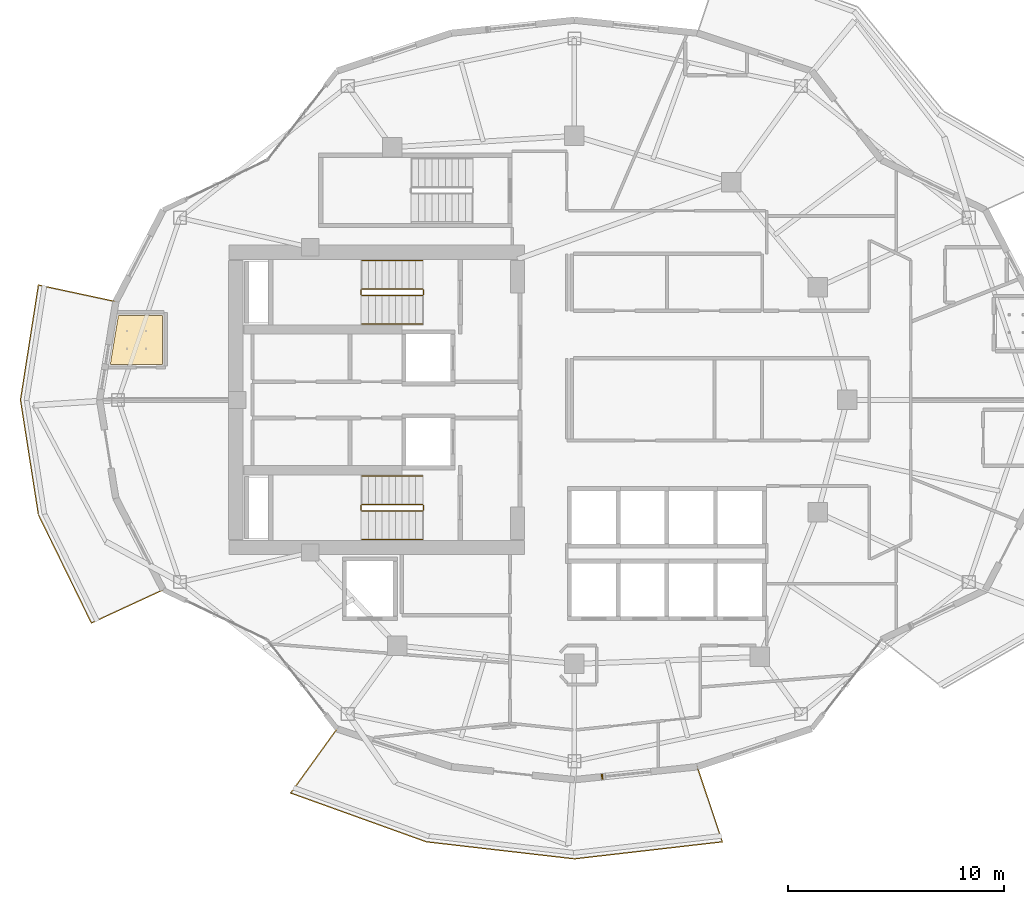
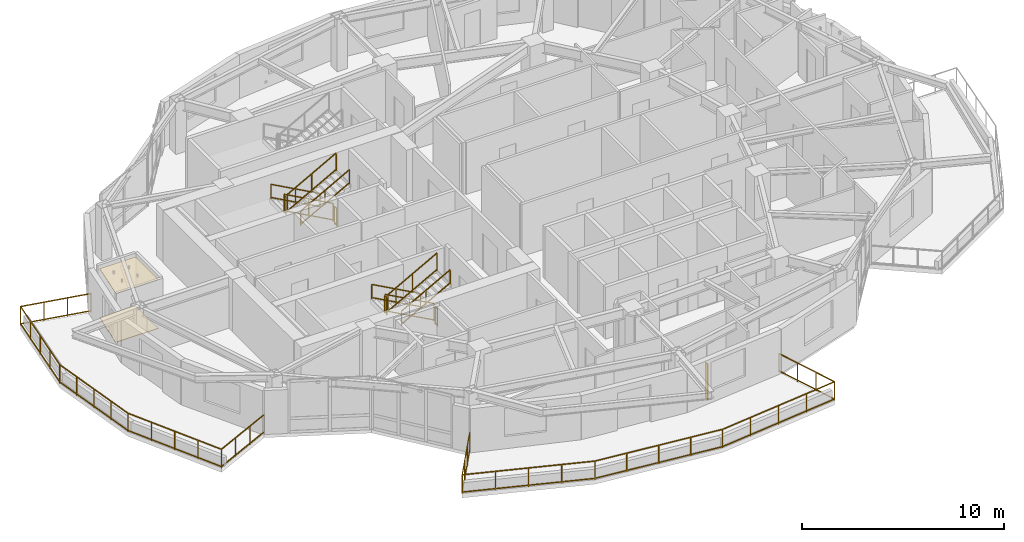
# One storey, part 17 of 19: 14 railings, 2 coverings, 1 shading device.
"""IFC4 building model written with IfcOpenShell, lengths in metres."""

from ifc_helpers import new_model, si_unit, direction, frame, origin, origin_2d, place, context, subcontext, project, spatial, polyline, rectangle, outline, extrude, material, layer, layer_set, type_object, element, save


model = new_model("IFC4")

# Units and contexts
model_context = context("Model", 3, precision=1e-05, world=origin(), true_north=direction((0.0, 1.0)))
body_context = subcontext(model_context, "Body", "Model", "MODEL_VIEW")
ifc_project = project(units=[si_unit("LENGTHUNIT", "METRE"), si_unit("AREAUNIT", "SQUARE_METRE"), si_unit("VOLUMEUNIT", "CUBIC_METRE"), si_unit("PLANEANGLEUNIT", "RADIAN"), si_unit("MASSUNIT", "GRAM", prefix="KILO")], contexts=[model_context])

# Site, building, storey
site_placement = place(None, origin())
site = spatial("IfcSite", under=ifc_project, at=site_placement, CompositionType="ELEMENT")
building_placement = place(site_placement, origin())
building = spatial("IfcBuilding", under=site, at=building_placement, Name="Kolvaren Gate Tower and Convention Centre", CompositionType="ELEMENT")
storey_placement = place(building_placement, frame((0.0, 0.0, 163.10009765625)))
storey = spatial("IfcBuildingStorey", under=building, at=storey_placement, Name="L42", CompositionType="ELEMENT", Elevation=163.10009765625)

# Coverings
ifc_material_1 = material(Name="Perforated Mineral-Fibre Acoustic Ceiling Tile 18 mm", Category="gypsum")
ifc_layer_1 = layer(ifc_material_1, 0.01806640625)
ifc_layer_set_1 = layer_set([ifc_layer_1], Name="Perforated Mineral-Fibre Acoustic Ceiling Tile 18 mm")
covering_type_1 = type_object("IfcCoveringType", Name="ARCH-COV-CEIL-18", PredefinedType="CEILING", material=ifc_layer_set_1)
covering_1_placement = place(storey_placement, frame((0.0, 0.0, 2.949951171875)))
element("IfcCovering", 1, at=covering_1_placement, inside=storey, type_object=covering_type_1, Name="En-suite Bathroom (HTL-L42-14) Acoustic Suspended Ceiling", PredefinedType="CEILING", context=body_context, shape_type="SweptSolid", body=[
    extrude(outline(polyline([(11.09912109375, 30.909912109375), (11.09912109375, 28.639892578125), (8.679931640625, 28.639892578125), (9.053955078125, 30.909912109375), (11.09912109375, 30.909912109375)])), origin(), (0.0, 0.0, 1.0), 0.01806640625),
])
ifc_material_2 = material(Name="Honed Sabana Limestone Terrazzo Flooring 30 mm", Category="masonry")
ifc_layer_2 = layer(ifc_material_2, 0.030029296875)
ifc_layer_set_2 = layer_set([ifc_layer_2], Name="Honed Sabana Limestone Terrazzo Flooring 30 mm")
covering_type_2 = type_object("IfcCoveringType", Name="ARCH-COV-FLR-30", PredefinedType="FLOORING", material=ifc_layer_set_2)
covering_2_placement = place(storey_placement, origin())
element("IfcCovering", 2, at=covering_2_placement, inside=storey, type_object=covering_type_2, Name="En-suite Bathroom (HTL-L42-14) Interior Finish Flooring", PredefinedType="FLOORING", context=body_context, shape_type="SweptSolid", body=[
    extrude(outline(polyline([(11.09912109375, 30.909912109375), (11.09912109375, 28.639892578125), (8.679931640625, 28.639892578125), (9.053955078125, 30.909912109375), (11.09912109375, 30.909912109375)])), origin(), (0.0, 0.0, 1.0), 0.02978515625),
])

# Railings
ifc_material_3 = material(Name="Brushed Stainless Steel Grade 316L", Category="steel")
railing_type_1 = type_object("IfcRailingType", Name="ARCH-RL-GUARD-1150", PredefinedType="GUARDRAIL", material=ifc_material_3)
railing_1_placement = place(storey_placement, frame((23.10009765625, 32.1298828125, 0.169921875)))
element("IfcRailing", 3, at=railing_1_placement, inside=storey, type_object=railing_type_1, Name="L42 ST-T1 stair guard 1", PredefinedType="GUARDRAIL", context=body_context, shape_type="SweptSolid", body=[
    extrude(rectangle(XDim=0.048095703125, YDim=0.048095703125, at=origin_2d()), frame((0.0, 0.0, 1.076171875), z_axis=(-0.876811365212, 0.0, 0.480834513982), x_axis=(0.0, -1.0, 0.0)), (0.0, 0.0, 1.0), 3.18212890625),
    extrude(rectangle(XDim=0.048095703125, YDim=0.048095703125, at=origin_2d()), frame((0.0, 0.0, 0.083984375), z_axis=(-0.876811365212, 0.0, 0.480834513982), x_axis=(0.0, -1.0, 0.0)), (0.0, 0.0, 1.0), 3.18212890625),
    extrude(rectangle(XDim=0.0419921875, YDim=0.0419921875, at=origin_2d()), origin(), (0.0, 0.0, 1.0), 1.050048828125),
    extrude(rectangle(XDim=0.0419921875, YDim=0.0419921875, at=origin_2d()), frame((-2.7900390625, 0.0, 1.530029296875)), (0.0, 0.0, 1.0), 1.050048828125),
    extrude(rectangle(XDim=0.0419921875, YDim=0.0419921875, at=origin_2d()), frame((-1.39501953125, 0.0, 0.76513671875)), (0.0, 0.0, 1.0), 1.050048828125),
])
railing_2_placement = place(storey_placement, frame((20.260009765625, 32.080078125, 1.699951171875)))
element("IfcRailing", 4, at=railing_2_placement, inside=storey, type_object=railing_type_1, Name="L42 ST-T1 stair guard 2", PredefinedType="GUARDRAIL", context=body_context, shape_type="SweptSolid", body=[
    extrude(rectangle(XDim=0.048095703125, YDim=0.048095703125, at=origin_2d()), frame((0.0, 0.0, 1.076171875), z_axis=(0.0, -1.0, 0.0), x_axis=(1.0, 0.0, 0.0)), (0.0, 0.0, 1.0), 0.2001953125),
    extrude(rectangle(XDim=0.048095703125, YDim=0.048095703125, at=origin_2d()), frame((0.0, 0.0, 0.083984375), z_axis=(0.0, -1.0, 0.0), x_axis=(1.0, 0.0, 0.0)), (0.0, 0.0, 1.0), 0.2001953125),
    extrude(rectangle(XDim=0.0419921875, YDim=0.0419921875, at=origin_2d()), origin(), (0.0, 0.0, 1.0), 1.050048828125),
    extrude(rectangle(XDim=0.0419921875, YDim=0.0419921875, at=origin_2d()), frame((0.0, -0.2001953125, 0.0)), (0.0, 0.0, 1.0), 1.050048828125),
])
railing_3_placement = place(storey_placement, frame((20.31005859375, 31.830078125, 1.869873046875)))
element("IfcRailing", 5, at=railing_3_placement, inside=storey, type_object=railing_type_1, Name="L42 ST-T1 stair guard 3", PredefinedType="GUARDRAIL", context=body_context, shape_type="SweptSolid", body=[
    extrude(rectangle(XDim=0.048095703125, YDim=0.048095703125, at=origin_2d()), frame((0.0, 0.0, 1.076171875), z_axis=(0.876811365212, 0.0, 0.480834513982), x_axis=(0.0, 1.0, 0.0)), (0.0, 0.0, 1.0), 3.18212890625),
    extrude(rectangle(XDim=0.048095703125, YDim=0.048095703125, at=origin_2d()), frame((0.0, 0.0, 0.083984375), z_axis=(0.876811365212, 0.0, 0.480834513982), x_axis=(0.0, 1.0, 0.0)), (0.0, 0.0, 1.0), 3.18212890625),
    extrude(rectangle(XDim=0.0419921875, YDim=0.0419921875, at=origin_2d()), origin(), (0.0, 0.0, 1.0), 1.050048828125),
    extrude(rectangle(XDim=0.0419921875, YDim=0.0419921875, at=origin_2d()), frame((2.7900390625, 0.0, 1.530029296875)), (0.0, 0.0, 1.0), 1.050048828125),
    extrude(rectangle(XDim=0.0419921875, YDim=0.0419921875, at=origin_2d()), frame((1.39501953125, 0.0, 0.76513671875)), (0.0, 0.0, 1.0), 1.050048828125),
])
railing_4_placement = place(storey_placement, frame((23.14990234375, 32.080078125, 0.0)))
element("IfcRailing", 6, at=railing_4_placement, inside=storey, type_object=railing_type_1, Name="L42 ST-T1 stair guard 4", PredefinedType="GUARDRAIL", context=body_context, shape_type="SweptSolid", body=[
    extrude(rectangle(XDim=0.048095703125, YDim=0.048095703125, at=origin_2d()), frame((0.0, 0.0, 1.076171875), z_axis=(0.0, -1.0, 0.0), x_axis=(1.0, 0.0, 0.0)), (0.0, 0.0, 1.0), 0.2001953125),
    extrude(rectangle(XDim=0.048095703125, YDim=0.048095703125, at=origin_2d()), frame((0.0, 0.0, 0.083984375), z_axis=(0.0, -1.0, 0.0), x_axis=(1.0, 0.0, 0.0)), (0.0, 0.0, 1.0), 0.2001953125),
    extrude(rectangle(XDim=0.0419921875, YDim=0.0419921875, at=origin_2d()), origin(), (0.0, 0.0, 1.0), 1.050048828125),
    extrude(rectangle(XDim=0.0419921875, YDim=0.0419921875, at=origin_2d()), frame((0.0, -0.2001953125, 0.0)), (0.0, 0.0, 1.0), 1.050048828125),
])
railing_5_placement = place(storey_placement, frame((23.10009765625, 22.169921875, 0.169921875)))
element("IfcRailing", 7, at=railing_5_placement, inside=storey, type_object=railing_type_1, Name="L42 ST-T2 stair guard 1", PredefinedType="GUARDRAIL", context=body_context, shape_type="SweptSolid", body=[
    extrude(rectangle(XDim=0.048095703125, YDim=0.048095703125, at=origin_2d()), frame((0.0, 0.0, 1.076171875), z_axis=(-0.876811365212, 0.0, 0.480834513982), x_axis=(0.0, -1.0, 0.0)), (0.0, 0.0, 1.0), 3.18212890625),
    extrude(rectangle(XDim=0.048095703125, YDim=0.048095703125, at=origin_2d()), frame((0.0, 0.0, 0.083984375), z_axis=(-0.876811365212, 0.0, 0.480834513982), x_axis=(0.0, -1.0, 0.0)), (0.0, 0.0, 1.0), 3.18212890625),
    extrude(rectangle(XDim=0.0419921875, YDim=0.0419921875, at=origin_2d()), origin(), (0.0, 0.0, 1.0), 1.050048828125),
    extrude(rectangle(XDim=0.0419921875, YDim=0.0419921875, at=origin_2d()), frame((-2.7900390625, 0.0, 1.530029296875)), (0.0, 0.0, 1.0), 1.050048828125),
    extrude(rectangle(XDim=0.0419921875, YDim=0.0419921875, at=origin_2d()), frame((-1.39501953125, 0.0, 0.76513671875)), (0.0, 0.0, 1.0), 1.050048828125),
])
railing_6_placement = place(storey_placement, frame((20.260009765625, 22.1201171875, 1.699951171875)))
element("IfcRailing", 8, at=railing_6_placement, inside=storey, type_object=railing_type_1, Name="L42 ST-T2 stair guard 2", PredefinedType="GUARDRAIL", context=body_context, shape_type="SweptSolid", body=[
    extrude(rectangle(XDim=0.048095703125, YDim=0.048095703125, at=origin_2d()), frame((0.0, 0.0, 1.076171875), z_axis=(0.0, -1.0, 0.0), x_axis=(1.0, 0.0, 0.0)), (0.0, 0.0, 1.0), 0.2001953125),
    extrude(rectangle(XDim=0.048095703125, YDim=0.048095703125, at=origin_2d()), frame((0.0, 0.0, 0.083984375), z_axis=(0.0, -1.0, 0.0), x_axis=(1.0, 0.0, 0.0)), (0.0, 0.0, 1.0), 0.2001953125),
    extrude(rectangle(XDim=0.0419921875, YDim=0.0419921875, at=origin_2d()), origin(), (0.0, 0.0, 1.0), 1.050048828125),
    extrude(rectangle(XDim=0.0419921875, YDim=0.0419921875, at=origin_2d()), frame((0.0, -0.2001953125, 0.0)), (0.0, 0.0, 1.0), 1.050048828125),
])
railing_7_placement = place(storey_placement, frame((20.31005859375, 21.8701171875, 1.869873046875)))
element("IfcRailing", 9, at=railing_7_placement, inside=storey, type_object=railing_type_1, Name="L42 ST-T2 stair guard 3", PredefinedType="GUARDRAIL", context=body_context, shape_type="SweptSolid", body=[
    extrude(rectangle(XDim=0.048095703125, YDim=0.048095703125, at=origin_2d()), frame((0.0, 0.0, 1.076171875), z_axis=(0.876811365212, 0.0, 0.480834513982), x_axis=(0.0, 1.0, 0.0)), (0.0, 0.0, 1.0), 3.18212890625),
    extrude(rectangle(XDim=0.048095703125, YDim=0.048095703125, at=origin_2d()), frame((0.0, 0.0, 0.083984375), z_axis=(0.876811365212, 0.0, 0.480834513982), x_axis=(0.0, 1.0, 0.0)), (0.0, 0.0, 1.0), 3.18212890625),
    extrude(rectangle(XDim=0.0419921875, YDim=0.0419921875, at=origin_2d()), origin(), (0.0, 0.0, 1.0), 1.050048828125),
    extrude(rectangle(XDim=0.0419921875, YDim=0.0419921875, at=origin_2d()), frame((2.7900390625, 0.0, 1.530029296875)), (0.0, 0.0, 1.0), 1.050048828125),
    extrude(rectangle(XDim=0.0419921875, YDim=0.0419921875, at=origin_2d()), frame((1.39501953125, 0.0, 0.76513671875)), (0.0, 0.0, 1.0), 1.050048828125),
])
railing_8_placement = place(storey_placement, frame((23.14990234375, 22.1201171875, 0.0)))
element("IfcRailing", 10, at=railing_8_placement, inside=storey, type_object=railing_type_1, Name="L42 ST-T2 stair guard 4", PredefinedType="GUARDRAIL", context=body_context, shape_type="SweptSolid", body=[
    extrude(rectangle(XDim=0.048095703125, YDim=0.048095703125, at=origin_2d()), frame((0.0, 0.0, 1.076171875), z_axis=(0.0, -1.0, 0.0), x_axis=(1.0, 0.0, 0.0)), (0.0, 0.0, 1.0), 0.2001953125),
    extrude(rectangle(XDim=0.048095703125, YDim=0.048095703125, at=origin_2d()), frame((0.0, 0.0, 0.083984375), z_axis=(0.0, -1.0, 0.0), x_axis=(1.0, 0.0, 0.0)), (0.0, 0.0, 1.0), 0.2001953125),
    extrude(rectangle(XDim=0.0419921875, YDim=0.0419921875, at=origin_2d()), origin(), (0.0, 0.0, 1.0), 1.050048828125),
    extrude(rectangle(XDim=0.0419921875, YDim=0.0419921875, at=origin_2d()), frame((0.0, -0.2001953125, 0.0)), (0.0, 0.0, 1.0), 1.050048828125),
])
railing_9_placement = place(storey_placement, frame((8.93505859375, 31.542236328125, 0.0)))
element("IfcRailing", 11, at=railing_9_placement, inside=storey, type_object=railing_type_1, Name="Tower L42 Terrace Perimeter Guardrail GR-2", PredefinedType="GUARDRAIL", context=body_context, shape_type="SweptSolid", body=[
    extrude(rectangle(XDim=0.048095703125, YDim=0.048095703125, at=origin_2d()), frame((-0.02734375, 0.005859375, 1.1259765625), z_axis=(-0.977791675321, 0.209579196661, 0.0), x_axis=(-0.209579196661, -0.977791675321, 0.0)), (0.0, 0.0, 1.0), 3.60400390625),
    extrude(rectangle(XDim=0.048095703125, YDim=0.048095703125, at=origin_2d()), frame((-0.02734375, 0.005859375, 0.083984375), z_axis=(-0.977791675321, 0.209579196661, 0.0), x_axis=(-0.209579196661, -0.977791675321, 0.0)), (0.0, 0.0, 1.0), 3.60400390625),
    extrude(rectangle(XDim=0.048095703125, YDim=0.048095703125, at=origin_2d()), frame((-3.583251953125, 0.7392578125, 1.1259765625), z_axis=(-0.154200861408, -0.988039520637, 0.0), x_axis=(0.988039520637, -0.154200861408, 0.0)), (0.0, 0.0, 1.0), 5.3173828125),
    extrude(rectangle(XDim=0.048095703125, YDim=0.048095703125, at=origin_2d()), frame((-3.583251953125, 0.7392578125, 0.083984375), z_axis=(-0.154200861408, -0.988039520637, 0.0), x_axis=(0.988039520637, -0.154200861408, 0.0)), (0.0, 0.0, 1.0), 5.3173828125),
    extrude(rectangle(XDim=0.048095703125, YDim=0.048095703125, at=origin_2d()), frame((-4.403076171875, -4.570068359375, 1.1259765625), z_axis=(0.154200861408, -0.988039520637, 0.0), x_axis=(0.988039520637, 0.154200861408, 0.0)), (0.0, 0.0, 1.0), 5.3173828125),
    extrude(rectangle(XDim=0.048095703125, YDim=0.048095703125, at=origin_2d()), frame((-4.403076171875, -4.570068359375, 0.083984375), z_axis=(0.154200861408, -0.988039520637, 0.0), x_axis=(0.988039520637, 0.154200861408, 0.0)), (0.0, 0.0, 1.0), 5.3173828125),
    extrude(rectangle(XDim=0.048095703125, YDim=0.048095703125, at=origin_2d()), frame((-3.56640625, -9.876708984375, 1.1259765625), z_axis=(0.439655234701, -0.898166618507, 0.0), x_axis=(0.898166618507, 0.439655234701, 0.0)), (0.0, 0.0, 1.0), 5.51123046875),
    extrude(rectangle(XDim=0.048095703125, YDim=0.048095703125, at=origin_2d()), frame((-3.56640625, -9.876708984375, 0.083984375), z_axis=(0.439655234701, -0.898166618507, 0.0), x_axis=(0.898166618507, 0.439655234701, 0.0)), (0.0, 0.0, 1.0), 5.51123046875),
    extrude(rectangle(XDim=0.048095703125, YDim=0.048095703125, at=origin_2d()), frame((-1.105712890625, -14.84033203125, 1.1259765625), z_axis=(0.907820723829, 0.419358478377, 0.0), x_axis=(-0.419358478377, 0.907820723829, 0.0)), (0.0, 0.0, 1.0), 3.60400390625),
    extrude(rectangle(XDim=0.048095703125, YDim=0.048095703125, at=origin_2d()), frame((-1.105712890625, -14.84033203125, 0.083984375), z_axis=(0.907820723829, 0.419358478377, 0.0), x_axis=(-0.419358478377, 0.907820723829, 0.0)), (0.0, 0.0, 1.0), 3.60400390625),
    extrude(rectangle(XDim=0.0419921875, YDim=0.0419921875, at=origin_2d()), origin(), (0.0, 0.0, 1.0), 1.14990234375),
    extrude(rectangle(XDim=0.0419921875, YDim=0.0419921875, at=origin_2d()), frame((-3.578857421875, 0.76708984375, 0.0)), (0.0, 0.0, 1.0), 1.14990234375),
    extrude(rectangle(XDim=0.0419921875, YDim=0.0419921875, at=origin_2d()), frame((-1.19287109375, 0.255615234375, 0.0)), (0.0, 0.0, 1.0), 1.099853515625),
    extrude(rectangle(XDim=0.0419921875, YDim=0.0419921875, at=origin_2d()), frame((-2.385986328125, 0.511474609375, 0.0)), (0.0, 0.0, 1.0), 1.099853515625),
    extrude(rectangle(XDim=0.0419921875, YDim=0.0419921875, at=origin_2d()), frame((-4.407470703125, -4.542236328125, 0.0)), (0.0, 0.0, 1.0), 1.14990234375),
    extrude(rectangle(XDim=0.0419921875, YDim=0.0419921875, at=origin_2d()), frame((-3.7861328125, -0.560302734375, 0.0)), (0.0, 0.0, 1.0), 1.099853515625),
    extrude(rectangle(XDim=0.0419921875, YDim=0.0419921875, at=origin_2d()), frame((-3.9931640625, -1.8876953125, 0.0)), (0.0, 0.0, 1.0), 1.099853515625),
    extrude(rectangle(XDim=0.0419921875, YDim=0.0419921875, at=origin_2d()), frame((-4.2001953125, -3.21484375, 0.0)), (0.0, 0.0, 1.0), 1.099853515625),
    extrude(rectangle(XDim=0.0419921875, YDim=0.0419921875, at=origin_2d()), frame((-3.578857421875, -9.8515625, 0.0)), (0.0, 0.0, 1.0), 1.14990234375),
    extrude(rectangle(XDim=0.0419921875, YDim=0.0419921875, at=origin_2d()), frame((-4.2001953125, -5.86962890625, 0.0)), (0.0, 0.0, 1.0), 1.099853515625),
    extrude(rectangle(XDim=0.0419921875, YDim=0.0419921875, at=origin_2d()), frame((-3.9931640625, -7.19677734375, 0.0)), (0.0, 0.0, 1.0), 1.099853515625),
    extrude(rectangle(XDim=0.0419921875, YDim=0.0419921875, at=origin_2d()), frame((-3.7861328125, -8.524169921875, 0.0)), (0.0, 0.0, 1.0), 1.099853515625),
    extrude(rectangle(XDim=0.0419921875, YDim=0.0419921875, at=origin_2d()), frame((-1.131103515625, -14.85205078125, 0.0)), (0.0, 0.0, 1.0), 1.14990234375),
    extrude(rectangle(XDim=0.0419921875, YDim=0.0419921875, at=origin_2d()), frame((-2.966796875, -11.1015625, 0.0)), (0.0, 0.0, 1.0), 1.099853515625),
    extrude(rectangle(XDim=0.0419921875, YDim=0.0419921875, at=origin_2d()), frame((-2.35498046875, -12.351806640625, 0.0)), (0.0, 0.0, 1.0), 1.099853515625),
    extrude(rectangle(XDim=0.0419921875, YDim=0.0419921875, at=origin_2d()), frame((-1.7431640625, -13.60205078125, 0.0)), (0.0, 0.0, 1.0), 1.099853515625),
    extrude(rectangle(XDim=0.0419921875, YDim=0.0419921875, at=origin_2d()), frame((2.191650390625, -13.317138671875, 0.0)), (0.0, 0.0, 1.0), 1.14990234375),
    extrude(rectangle(XDim=0.0419921875, YDim=0.0419921875, at=origin_2d()), frame((-0.0234375, -14.34033203125, 0.0)), (0.0, 0.0, 1.0), 1.099853515625),
    extrude(rectangle(XDim=0.0419921875, YDim=0.0419921875, at=origin_2d()), frame((1.083984375, -13.828857421875, 0.0)), (0.0, 0.0, 1.0), 1.099853515625),
])
railing_10_placement = place(storey_placement, frame((19.15625, 11.80126953125, 0.0)))
element("IfcRailing", 12, at=railing_10_placement, inside=storey, type_object=railing_type_1, Name="Tower L42 Terrace Perimeter Guardrail GR-3", PredefinedType="GUARDRAIL", context=body_context, shape_type="SweptSolid", body=[
    extrude(rectangle(XDim=0.048095703125, YDim=0.048095703125, at=origin_2d()), frame((-0.016357421875, -0.022705078125, 1.1259765625), z_axis=(-0.585212870465, -0.810879705161, 0.0), x_axis=(0.810879705161, -0.585212870465, 0.0)), (0.0, 0.0, 1.0), 3.603759765625),
    extrude(rectangle(XDim=0.048095703125, YDim=0.048095703125, at=origin_2d()), frame((-0.016357421875, -0.022705078125, 0.083984375), z_axis=(-0.585212870465, -0.810879705161, 0.0), x_axis=(0.810879705161, -0.585212870465, 0.0)), (0.0, 0.0, 1.0), 3.603759765625),
    extrude(rectangle(XDim=0.048095703125, YDim=0.048095703125, at=origin_2d()), frame((-2.115478515625, -2.977294921875, 1.1259765625), z_axis=(0.940948576924, -0.338549517184, 0.0), x_axis=(0.338549517184, 0.940948576924, 0.0)), (0.0, 0.0, 1.0), 6.60791015625),
    extrude(rectangle(XDim=0.048095703125, YDim=0.048095703125, at=origin_2d()), frame((-2.115478515625, -2.977294921875, 0.083984375), z_axis=(0.940948576924, -0.338549517184, 0.0), x_axis=(0.338549517184, 0.940948576924, 0.0)), (0.0, 0.0, 1.0), 6.60791015625),
    extrude(rectangle(XDim=0.048095703125, YDim=0.048095703125, at=origin_2d()), frame((4.156494140625, -5.22705078125, 1.1259765625), z_axis=(0.993440112849, -0.114353584036, 0.0), x_axis=(0.114353584036, 0.993440112849, 0.0)), (0.0, 0.0, 1.0), 6.8291015625),
    extrude(rectangle(XDim=0.048095703125, YDim=0.048095703125, at=origin_2d()), frame((4.156494140625, -5.22705078125, 0.083984375), z_axis=(0.993440112849, -0.114353584036, 0.0), x_axis=(0.114353584036, 0.993440112849, 0.0)), (0.0, 0.0, 1.0), 6.8291015625),
    extrude(rectangle(XDim=0.048095703125, YDim=0.048095703125, at=origin_2d()), frame((10.99658203125, -6.008056640625, 1.1259765625), z_axis=(0.993440112849, 0.114353584036, 0.0), x_axis=(-0.114353584036, 0.993440112849, 0.0)), (0.0, 0.0, 1.0), 6.8291015625),
    extrude(rectangle(XDim=0.048095703125, YDim=0.048095703125, at=origin_2d()), frame((10.99658203125, -6.008056640625, 0.083984375), z_axis=(0.993440112849, 0.114353584036, 0.0), x_axis=(-0.114353584036, 0.993440112849, 0.0)), (0.0, 0.0, 1.0), 6.8291015625),
    extrude(rectangle(XDim=0.048095703125, YDim=0.048095703125, at=origin_2d()), frame((17.800048828125, -5.197265625, 1.1259765625), z_axis=(-0.317568160167, 0.94823544737, 0.0), x_axis=(-0.94823544737, -0.317568160167, 0.0)), (0.0, 0.0, 1.0), 3.60400390625),
    extrude(rectangle(XDim=0.048095703125, YDim=0.048095703125, at=origin_2d()), frame((17.800048828125, -5.197265625, 0.083984375), z_axis=(-0.317568160167, 0.94823544737, 0.0), x_axis=(-0.94823544737, -0.317568160167, 0.0)), (0.0, 0.0, 1.0), 3.60400390625),
    extrude(rectangle(XDim=0.0419921875, YDim=0.0419921875, at=origin_2d()), origin(), (0.0, 0.0, 1.0), 1.14990234375),
    extrude(rectangle(XDim=0.0419921875, YDim=0.0419921875, at=origin_2d()), frame((-2.141845703125, -2.9677734375, 0.0)), (0.0, 0.0, 1.0), 1.14990234375),
    extrude(rectangle(XDim=0.0419921875, YDim=0.0419921875, at=origin_2d()), frame((-0.7138671875, -0.9892578125, 0.0)), (0.0, 0.0, 1.0), 1.099853515625),
    extrude(rectangle(XDim=0.0419921875, YDim=0.0419921875, at=origin_2d()), frame((-1.427978515625, -1.978515625, 0.0)), (0.0, 0.0, 1.0), 1.099853515625),
    extrude(rectangle(XDim=0.0419921875, YDim=0.0419921875, at=origin_2d()), frame((4.128662109375, -5.223876953125, 0.0)), (0.0, 0.0, 1.0), 1.14990234375),
    extrude(rectangle(XDim=0.0419921875, YDim=0.0419921875, at=origin_2d()), frame((-0.57421875, -3.53173828125, 0.0)), (0.0, 0.0, 1.0), 1.099853515625),
    extrude(rectangle(XDim=0.0419921875, YDim=0.0419921875, at=origin_2d()), frame((0.993408203125, -4.095703125, 0.0)), (0.0, 0.0, 1.0), 1.099853515625),
    extrude(rectangle(XDim=0.0419921875, YDim=0.0419921875, at=origin_2d()), frame((2.56103515625, -4.659912109375, 0.0)), (0.0, 0.0, 1.0), 1.099853515625),
    extrude(rectangle(XDim=0.0419921875, YDim=0.0419921875, at=origin_2d()), frame((10.96875, -6.01123046875, 0.0)), (0.0, 0.0, 1.0), 1.14990234375),
    extrude(rectangle(XDim=0.0419921875, YDim=0.0419921875, at=origin_2d()), frame((5.838623046875, -5.420654296875, 0.0)), (0.0, 0.0, 1.0), 1.099853515625),
    extrude(rectangle(XDim=0.0419921875, YDim=0.0419921875, at=origin_2d()), frame((7.548828125, -5.61767578125, 0.0)), (0.0, 0.0, 1.0), 1.099853515625),
    extrude(rectangle(XDim=0.0419921875, YDim=0.0419921875, at=origin_2d()), frame((9.2587890625, -5.814453125, 0.0)), (0.0, 0.0, 1.0), 1.099853515625),
    extrude(rectangle(XDim=0.0419921875, YDim=0.0419921875, at=origin_2d()), frame((17.808837890625, -5.223876953125, 0.0)), (0.0, 0.0, 1.0), 1.14990234375),
    extrude(rectangle(XDim=0.0419921875, YDim=0.0419921875, at=origin_2d()), frame((12.6787109375, -5.814453125, 0.0)), (0.0, 0.0, 1.0), 1.099853515625),
    extrude(rectangle(XDim=0.0419921875, YDim=0.0419921875, at=origin_2d()), frame((14.388671875, -5.61767578125, 0.0)), (0.0, 0.0, 1.0), 1.099853515625),
    extrude(rectangle(XDim=0.0419921875, YDim=0.0419921875, at=origin_2d()), frame((16.098876953125, -5.420654296875, 0.0)), (0.0, 0.0, 1.0), 1.099853515625),
    extrude(rectangle(XDim=0.0419921875, YDim=0.0419921875, at=origin_2d()), frame((16.646484375, -1.753173828125, 0.0)), (0.0, 0.0, 1.0), 1.14990234375),
    extrude(rectangle(XDim=0.0419921875, YDim=0.0419921875, at=origin_2d()), frame((17.42138671875, -4.06689453125, 0.0)), (0.0, 0.0, 1.0), 1.099853515625),
    extrude(rectangle(XDim=0.0419921875, YDim=0.0419921875, at=origin_2d()), frame((17.033935546875, -2.91015625, 0.0)), (0.0, 0.0, 1.0), 1.099853515625),
])
railing_type_2 = type_object("IfcRailingType", Name="ARCH-RL-HANDRAIL-920", PredefinedType="HANDRAIL", material=ifc_material_3)
railing_11_placement = place(storey_placement, frame((23.10009765625, 33.449951171875, 0.169921875)))
element("IfcRailing", 13, at=railing_11_placement, inside=storey, type_object=railing_type_2, Name="L42 ST-T1 stair handrail 1", PredefinedType="HANDRAIL", context=body_context, shape_type="SweptSolid", body=[
    extrude(rectangle(XDim=0.048095703125, YDim=0.048095703125, at=origin_2d()), frame((0.0, 0.0, 0.8759765625), z_axis=(-0.876811365212, 0.0, 0.480834513982), x_axis=(0.0, -1.0, 0.0)), (0.0, 0.0, 1.0), 3.18212890625),
    extrude(rectangle(XDim=0.048095703125, YDim=0.048095703125, at=origin_2d()), frame((0.0, 0.0, 0.083984375), z_axis=(-0.876811365212, 0.0, 0.480834513982), x_axis=(0.0, -1.0, 0.0)), (0.0, 0.0, 1.0), 3.18212890625),
    extrude(rectangle(XDim=0.0419921875, YDim=0.0419921875, at=origin_2d()), origin(), (0.0, 0.0, 1.0), 0.849853515625),
    extrude(rectangle(XDim=0.0419921875, YDim=0.0419921875, at=origin_2d()), frame((-2.7900390625, 0.0, 1.530029296875)), (0.0, 0.0, 1.0), 0.849853515625),
    extrude(rectangle(XDim=0.0419921875, YDim=0.0419921875, at=origin_2d()), frame((-1.39501953125, 0.0, 0.76513671875)), (0.0, 0.0, 1.0), 0.849853515625),
])
railing_12_placement = place(storey_placement, frame((20.31005859375, 30.510009765625, 1.869873046875)))
element("IfcRailing", 14, at=railing_12_placement, inside=storey, type_object=railing_type_2, Name="L42 ST-T1 stair handrail 2", PredefinedType="HANDRAIL", context=body_context, shape_type="SweptSolid", body=[
    extrude(rectangle(XDim=0.048095703125, YDim=0.048095703125, at=origin_2d()), frame((0.0, 0.0, 0.8759765625), z_axis=(0.876811365212, 0.0, 0.480834513982), x_axis=(0.0, 1.0, 0.0)), (0.0, 0.0, 1.0), 3.18212890625),
    extrude(rectangle(XDim=0.048095703125, YDim=0.048095703125, at=origin_2d()), frame((0.0, 0.0, 0.083984375), z_axis=(0.876811365212, 0.0, 0.480834513982), x_axis=(0.0, 1.0, 0.0)), (0.0, 0.0, 1.0), 3.18212890625),
    extrude(rectangle(XDim=0.0419921875, YDim=0.0419921875, at=origin_2d()), origin(), (0.0, 0.0, 1.0), 0.849853515625),
    extrude(rectangle(XDim=0.0419921875, YDim=0.0419921875, at=origin_2d()), frame((2.7900390625, 0.0, 1.530029296875)), (0.0, 0.0, 1.0), 0.849853515625),
    extrude(rectangle(XDim=0.0419921875, YDim=0.0419921875, at=origin_2d()), frame((1.39501953125, 0.0, 0.76513671875)), (0.0, 0.0, 1.0), 0.849853515625),
])
railing_13_placement = place(storey_placement, frame((23.10009765625, 23.489990234375, 0.169921875)))
element("IfcRailing", 15, at=railing_13_placement, inside=storey, type_object=railing_type_2, Name="L42 ST-T2 stair handrail 1", PredefinedType="HANDRAIL", context=body_context, shape_type="SweptSolid", body=[
    extrude(rectangle(XDim=0.048095703125, YDim=0.048095703125, at=origin_2d()), frame((0.0, 0.0, 0.8759765625), z_axis=(-0.876811365212, 0.0, 0.480834513982), x_axis=(0.0, -1.0, 0.0)), (0.0, 0.0, 1.0), 3.18212890625),
    extrude(rectangle(XDim=0.048095703125, YDim=0.048095703125, at=origin_2d()), frame((0.0, 0.0, 0.083984375), z_axis=(-0.876811365212, 0.0, 0.480834513982), x_axis=(0.0, -1.0, 0.0)), (0.0, 0.0, 1.0), 3.18212890625),
    extrude(rectangle(XDim=0.0419921875, YDim=0.0419921875, at=origin_2d()), origin(), (0.0, 0.0, 1.0), 0.849853515625),
    extrude(rectangle(XDim=0.0419921875, YDim=0.0419921875, at=origin_2d()), frame((-2.7900390625, 0.0, 1.530029296875)), (0.0, 0.0, 1.0), 0.849853515625),
    extrude(rectangle(XDim=0.0419921875, YDim=0.0419921875, at=origin_2d()), frame((-1.39501953125, 0.0, 0.76513671875)), (0.0, 0.0, 1.0), 0.849853515625),
])
railing_14_placement = place(storey_placement, frame((20.31005859375, 20.550048828125, 1.869873046875)))
element("IfcRailing", 16, at=railing_14_placement, inside=storey, type_object=railing_type_2, Name="L42 ST-T2 stair handrail 2", PredefinedType="HANDRAIL", context=body_context, shape_type="SweptSolid", body=[
    extrude(rectangle(XDim=0.048095703125, YDim=0.048095703125, at=origin_2d()), frame((0.0, 0.0, 0.8759765625), z_axis=(0.876811365212, 0.0, 0.480834513982), x_axis=(0.0, 1.0, 0.0)), (0.0, 0.0, 1.0), 3.18212890625),
    extrude(rectangle(XDim=0.048095703125, YDim=0.048095703125, at=origin_2d()), frame((0.0, 0.0, 0.083984375), z_axis=(0.876811365212, 0.0, 0.480834513982), x_axis=(0.0, 1.0, 0.0)), (0.0, 0.0, 1.0), 3.18212890625),
    extrude(rectangle(XDim=0.0419921875, YDim=0.0419921875, at=origin_2d()), origin(), (0.0, 0.0, 1.0), 0.849853515625),
    extrude(rectangle(XDim=0.0419921875, YDim=0.0419921875, at=origin_2d()), frame((2.7900390625, 0.0, 1.530029296875)), (0.0, 0.0, 1.0), 0.849853515625),
    extrude(rectangle(XDim=0.0419921875, YDim=0.0419921875, at=origin_2d()), frame((1.39501953125, 0.0, 0.76513671875)), (0.0, 0.0, 1.0), 0.849853515625),
])

# Shading device
ifc_material_4 = material(Name="Kiln-Fired Bogota Terracotta Ceramic Louvre Profile", Category="masonry")
shading_device_type = type_object("IfcShadingDeviceType", Name="ARCH-SHD-FIN-180", PredefinedType="JALOUSIE", material=ifc_material_4)
shading_device_placement = place(storey_placement, frame((31.407958984375, 9.585205078125, 0.219970703125), z_axis=(0.0, 0.0, 1.0), x_axis=(0.994499249941, 0.104743696069, 0.0)))
element("IfcShadingDevice", 17, at=shading_device_placement, inside=storey, type_object=shading_device_type, Name="Ceramic Vertical Brise-Soleil Fin FN-L42-18", PredefinedType="JALOUSIE", context=body_context, shape_type="SweptSolid", body=[
    extrude(rectangle(XDim=0.06005859375, YDim=0.239990234375, at=origin_2d()), origin(), (0.0, 0.0, 1.0), 2.14990234375),
])

save(model, "model.ifc")
